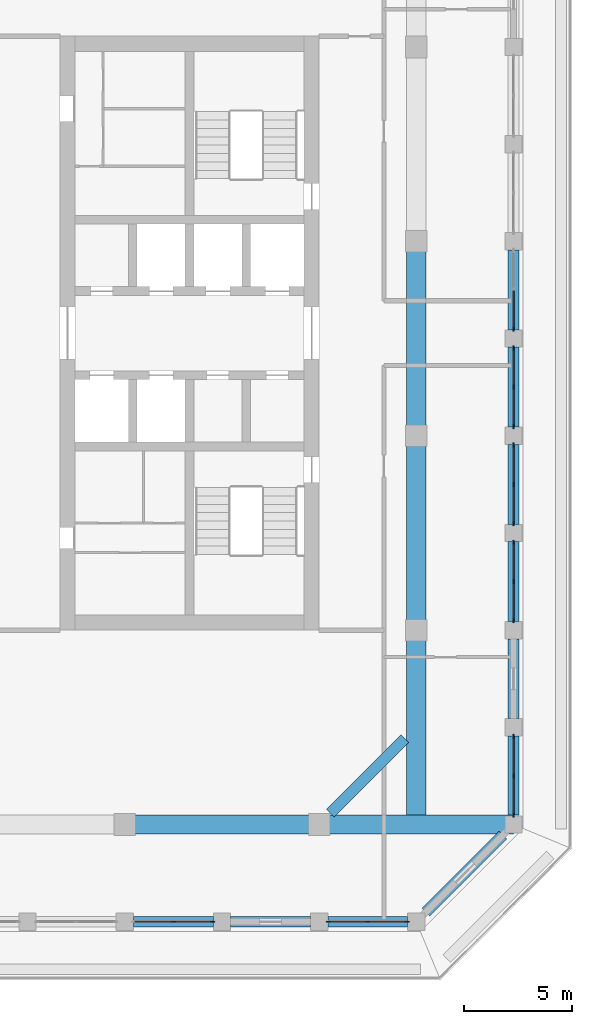
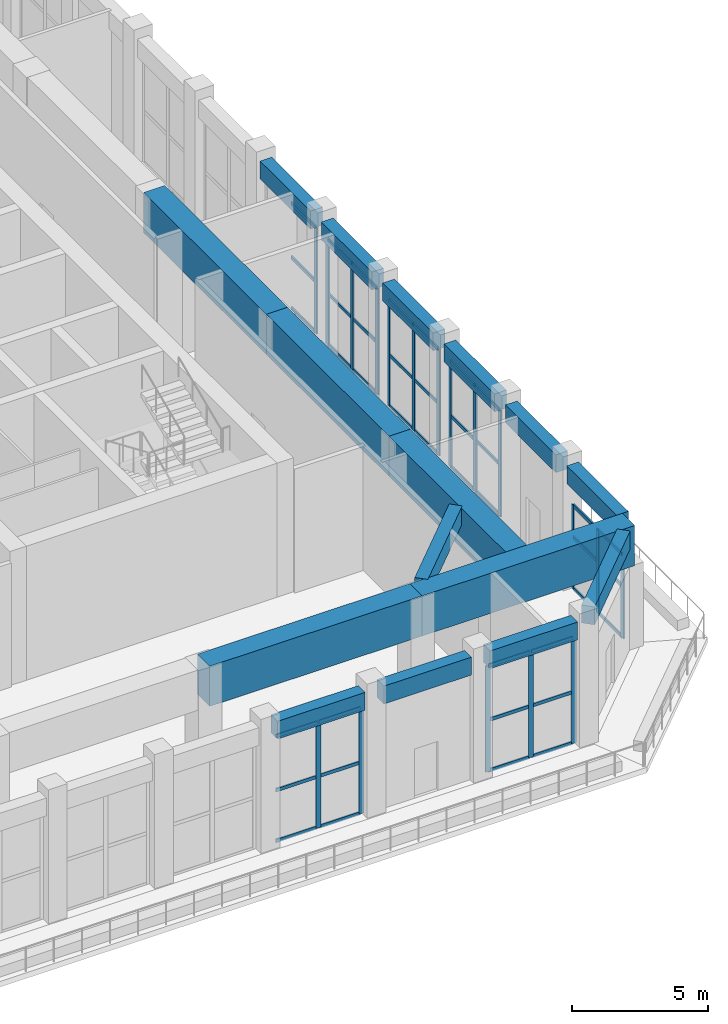
# One storey, part 4 of 25: 57 members, 16 beams, 7 elements without a shape of their own.
"""IFC4 building model written with IfcOpenShell, lengths in metres."""

import ifcopenshell
import ifcopenshell.guid

model = None  # the IFC model being written
_history = None  # IfcOwnerHistory: only IFC2X3 demands one
_inside = {}  # id of a spatial element -> (the spatial element, [elements in it])
_under = {}  # id of a project, library or spatial element -> (it, [spatial elements below it])
_declared = {}  # id of a project -> (the project, [libraries it declares])
_typed = {}  # id of a type object -> (the type object, [elements of that type])
_made_of = {}  # id of a material, layer set ... -> (it, [elements and type objects made of it])


def new_model(schema):
    """Start an empty IFC model of exactly this schema.

    Asked for "IFC4X3", IfcOpenShell would pick the latest addendum, in which some entities
    have other attributes; the version numbers below select the first issue.
    IFC2X3 requires an IfcOwnerHistory on every rooted entity: one is made here for all.
    """
    global model, _history
    if schema == "IFC4X3":
        model = ifcopenshell.file(schema_version=(4, 3, 0, 0))
    else:
        model = ifcopenshell.file(schema=schema)
    _inside.clear()
    _under.clear()
    _declared.clear()
    _typed.clear()
    _made_of.clear()
    _history = None
    if model.schema == "IFC2X3":
        org = make("IfcOrganization", Name="unknown")
        user = make(
            "IfcPersonAndOrganization",
            ThePerson=make("IfcPerson", FamilyName="unknown"),
            TheOrganization=org,
        )
        app = make(
            "IfcApplication",
            ApplicationDeveloper=org,
            Version="unknown",
            ApplicationFullName="unknown",
            ApplicationIdentifier="unknown",
        )
        _history = make(
            "IfcOwnerHistory",
            OwningUser=user,
            OwningApplication=app,
            ChangeAction="ADDED",
            CreationDate=0,
        )
    return model


def make(cls, **values):
    """One entity of the class cls with the attributes given. An attribute that is None is left unset."""
    return model.create_entity(
        cls, **{name: value for name, value in values.items() if value is not None}
    )


def rooted(cls, **values):
    """An entity with a GlobalId (a new one), such as an element, a storey or a relation."""
    return make(cls, GlobalId=ifcopenshell.guid.new(), OwnerHistory=_history, **values)


def si_unit(unit_type, name, prefix=None):
    """IfcSIUnit, for example si_unit("LENGTHUNIT", "METRE", prefix="MILLI")."""
    return make("IfcSIUnit", UnitType=unit_type, Prefix=prefix, Name=name)


def assignment(units):
    """IfcUnitAssignment: the units of a project."""
    return None if units is None else make("IfcUnitAssignment", Units=units)


def point(xyz):
    """IfcCartesianPoint."""
    return None if xyz is None else make("IfcCartesianPoint", Coordinates=xyz)


def direction(xyz):
    """IfcDirection."""
    return None if xyz is None else make("IfcDirection", DirectionRatios=xyz)


def frame(location, z_axis=None, x_axis=None):
    """IfcAxis2Placement3D, a coordinate frame: its origin and axes. An axis left out is left unset."""
    return make(
        "IfcAxis2Placement3D",
        Location=point(location),
        Axis=direction(z_axis),
        RefDirection=direction(x_axis),
    )


def frame_2d(location, x_axis=None):
    """IfcAxis2Placement2D, a coordinate frame in the plane: its origin and x axis."""
    return make(
        "IfcAxis2Placement2D", Location=point(location), RefDirection=direction(x_axis)
    )


def origin():
    """The frame at (0, 0, 0) with its axes left unset."""
    return frame((0.0, 0.0, 0.0))


def origin_2d():
    """The frame at (0, 0) in the plane with its x axis left unset."""
    return frame_2d((0.0, 0.0))


def place(relative_to, where):
    """IfcLocalPlacement: puts the frame where relative to a parent placement (None: the world)."""
    return make(
        "IfcLocalPlacement", PlacementRelTo=relative_to, RelativePlacement=where
    )


def context(
    kind, dimensions, precision=None, world=None, true_north=None, identifier=None
):
    """IfcGeometricRepresentationContext, for example the 3D "Model" context."""
    return make(
        "IfcGeometricRepresentationContext",
        ContextIdentifier=identifier,
        ContextType=kind,
        CoordinateSpaceDimension=dimensions,
        Precision=precision,
        WorldCoordinateSystem=world,
        TrueNorth=true_north,
    )


def subcontext(parent, identifier, kind, view, scale=None):
    """IfcGeometricRepresentationSubContext, for example "Body" below "Model"."""
    return make(
        "IfcGeometricRepresentationSubContext",
        ContextIdentifier=identifier,
        ContextType=kind,
        ParentContext=parent,
        TargetScale=scale,
        TargetView=view,
    )


def project(units=None, contexts=None):
    """IfcProject with its units and contexts."""
    return rooted(
        "IfcProject",
        Name="project",
        RepresentationContexts=contexts,
        UnitsInContext=assignment(units),
    )


def spatial(cls, under=None, at=None, **own):
    """A site, building, storey or space (cls), placed at a placement, below another one or the project."""
    s = rooted(cls, ObjectPlacement=at, **own)
    if under is not None:
        _under.setdefault(under.id(), (under, []))[1].append(s)
    return s


def profile(cls, at=None, kind="AREA", **sizes):
    """A parametric profile (cls). Its sizes go by their IFC names, for example OverallWidth=200.0."""
    return make(cls, ProfileType=kind, Position=at, **sizes)


def rectangle(**sizes):
    """IfcRectangleProfileDef."""
    return profile("IfcRectangleProfileDef", **sizes)


def extrude(swept, where, along, depth):
    """IfcExtrudedAreaSolid: the profile swept, set in the frame where, extruded along a direction by depth."""
    return make(
        "IfcExtrudedAreaSolid",
        SweptArea=swept,
        Position=where,
        ExtrudedDirection=direction(along),
        Depth=depth,
    )


def shape(context_of_items, identifier, shape_type, items):
    """IfcShapeRepresentation: the items that make up one representation, for example the "Body"."""
    return make(
        "IfcShapeRepresentation",
        ContextOfItems=context_of_items,
        RepresentationIdentifier=identifier,
        RepresentationType=shape_type,
        Items=items,
    )


def material(Name=None, Category=None):
    """IfcMaterial."""
    return make("IfcMaterial", Name=Name, Category=Category)


def material_profile(
    of_material, cross_section, Name=None, Category=None, Priority=None
):
    """IfcMaterialProfile: a cross section and its material."""
    return make(
        "IfcMaterialProfile",
        Name=Name,
        Material=of_material,
        Profile=cross_section,
        Priority=Priority,
        Category=Category,
    )


def profile_set(profiles, Name=None, composite=None):
    """IfcMaterialProfileSet."""
    return make(
        "IfcMaterialProfileSet",
        Name=Name,
        MaterialProfiles=profiles,
        CompositeProfile=composite,
    )


def made_of(thing, what):
    """Note that an element or type object is made of a material, layer set ...; save() writes the relation."""
    if what is not None:
        _made_of.setdefault(what.id(), (what, []))[1].append(thing)
    return thing


def type_object(cls, material=None, **own):
    """A type object (cls), such as IfcWallType, which elements share."""
    return made_of(rooted(cls, **own), material)


def element(
    cls,
    number,
    at=None,
    inside=None,
    cuts=None,
    type_object=None,
    material=None,
    context=None,
    identifier="Body",
    shape_type=None,
    held_by="IfcProductDefinitionShape",
    body=None,
    shapes=None,
    **own,
):
    """One element of the class cls, such as IfcWall. Its Tag is "e" and its number.

    at: its placement. inside: the storey or other place that contains it. cuts: it is an
    opening in that element (IfcRelVoidsElement). A single representation is given by context,
    identifier, shape_type and body (its items); several are given by shapes. held_by: the class
    of the entity that holds the representations. save() writes the other relations.
    """
    e = rooted(cls, Tag="e%d" % number, ObjectPlacement=at, **own)
    if body is not None:
        shapes = [shape(context, identifier, shape_type, body)]
    if shapes is not None:
        e.Representation = make(held_by, Representations=shapes)
    if inside is not None:
        _inside.setdefault(inside.id(), (inside, []))[1].append(e)
    if cuts is not None:
        rooted(
            "IfcRelVoidsElement", RelatingBuildingElement=cuts, RelatedOpeningElement=e
        )
    if type_object is not None:
        _typed.setdefault(type_object.id(), (type_object, []))[1].append(e)
    return made_of(e, material)


def aggregate(whole, parts):
    """IfcRelAggregates: a whole, such as a stair, and the parts it consists of."""
    return rooted("IfcRelAggregates", RelatingObject=whole, RelatedObjects=parts)


def save(model, path):
    """Write the relations noted so far, then the file.

    IfcRelAggregates (storeys below a building ...), IfcRelContainedInSpatialStructure (elements
    in a storey), IfcRelDefinesByType, IfcRelAssociatesMaterial and IfcRelDeclares: one each for
    every whole, place, type object, material and project.
    """
    for whole, parts in _under.values():
        aggregate(whole, parts)
    for where, things in _inside.values():
        rooted(
            "IfcRelContainedInSpatialStructure",
            RelatedElements=things,
            RelatingStructure=where,
        )
    for kind, things in _typed.values():
        rooted("IfcRelDefinesByType", RelatedObjects=things, RelatingType=kind)
    for what, things in _made_of.values():
        rooted("IfcRelAssociatesMaterial", RelatedObjects=things, RelatingMaterial=what)
    for by, libraries in _declared.values():
        rooted("IfcRelDeclares", RelatingContext=by, RelatedDefinitions=libraries)
    model.write(path)


model = new_model("IFC4")

# Units and contexts
model_context = context("Model", 3, precision=1e-05, world=origin(), true_north=direction((0.0, 1.0)))
body_context = subcontext(model_context, "Body", "Model", "MODEL_VIEW")
ifc_project = project(units=[si_unit("LENGTHUNIT", "METRE"), si_unit("AREAUNIT", "SQUARE_METRE"), si_unit("VOLUMEUNIT", "CUBIC_METRE"), si_unit("PLANEANGLEUNIT", "RADIAN"), si_unit("MASSUNIT", "GRAM", prefix="KILO")], contexts=[model_context])

# Site, building, storey
site_placement = place(None, origin())
site = spatial("IfcSite", under=ifc_project, at=site_placement, CompositionType="ELEMENT")
building_placement = place(site_placement, origin())
building = spatial("IfcBuilding", under=site, at=building_placement, Name="Corbel Stack Research Tower", CompositionType="ELEMENT")
storey_placement = place(building_placement, frame((0.0, 0.0, 260.300048828125)))
storey = spatial("IfcBuildingStorey", under=building, at=storey_placement, Name="L59", CompositionType="ELEMENT", Elevation=260.300048828125)

# Curtain wall, members
ifc_material_1 = material(Name="Aluminium frame, clear glass", Category="aluminium")
curtain_wall_type = type_object("IfcCurtainWallType", Name="Upper amenity floor curtain wall CW3", PredefinedType="NOTDEFINED", material=ifc_material_1)
curtain_wall_1_placement = place(storey_placement, origin())
curtain_wall_1 = element("IfcCurtainWall", 1, at=curtain_wall_1_placement, inside=storey, type_object=curtain_wall_type, Name="Curtain wall CW3 L59 S06", PredefinedType="NOTDEFINED")
ifc_material_2 = material(Name="Aluminium mullion", Category="aluminium")
ifc_material_profile_1 = material_profile(ifc_material_2, rectangle(XDim=0.06005859375, YDim=0.199951171875, at=origin_2d()), Name="Mullion 60 x 200")
ifc_profile_set_1 = profile_set([ifc_material_profile_1], Name="Aluminium mullion")
member_type_1 = type_object("IfcMemberType", Name="Curtain wall mullion 60 x 200", PredefinedType="MULLION", material=ifc_profile_set_1)
member_1_placement = place(storey_placement, frame((11.25, -22.5, 0.0), z_axis=(0.0, 0.0, 1.0), x_axis=(0.0, 1.0, 0.0)))
member_1 = element("IfcMember", 2, at=member_1_placement, type_object=member_type_1, Name="CW3 mullion 2", PredefinedType="MULLION", context=body_context, shape_type="SweptSolid", body=[
    extrude(rectangle(XDim=0.06005859375, YDim=0.199951171875, at=origin_2d()), origin(), (0.0, 0.0, 1.0), 4.75),
])
member_2_placement = place(storey_placement, frame((13.070068359375, -22.5, 0.0), z_axis=(0.0, 0.0, 1.0), x_axis=(0.0, 1.0, 0.0)))
member_2 = element("IfcMember", 3, at=member_2_placement, type_object=member_type_1, Name="CW3 mullion 3", PredefinedType="MULLION", context=body_context, shape_type="SweptSolid", body=[
    extrude(rectangle(XDim=0.06005859375, YDim=0.199951171875, at=origin_2d()), origin(), (0.0, 0.0, 1.0), 4.75),
])

curtain_wall_2_placement = place(storey_placement, origin())
curtain_wall_2 = element("IfcCurtainWall", 4, at=curtain_wall_2_placement, inside=storey, type_object=curtain_wall_type, Name="Curtain wall CW3 L59 S08", PredefinedType="NOTDEFINED")
member_3_placement = place(storey_placement, frame((18.429931640625, -22.5, 0.0), z_axis=(0.0, 0.0, 1.0), x_axis=(0.0, 1.0, 0.0)))
member_3 = element("IfcMember", 5, at=member_3_placement, type_object=member_type_1, Name="CW3 mullion 1", PredefinedType="MULLION", context=body_context, shape_type="SweptSolid", body=[
    extrude(rectangle(XDim=0.06005859375, YDim=0.199951171875, at=origin_2d()), origin(), (0.0, 0.0, 1.0), 4.75),
])
member_4_placement = place(storey_placement, frame((20.25, -22.5, 0.0), z_axis=(0.0, 0.0, 1.0), x_axis=(0.0, 1.0, 0.0)))
member_4 = element("IfcMember", 6, at=member_4_placement, type_object=member_type_1, Name="CW3 mullion 2", PredefinedType="MULLION", context=body_context, shape_type="SweptSolid", body=[
    extrude(rectangle(XDim=0.06005859375, YDim=0.199951171875, at=origin_2d()), origin(), (0.0, 0.0, 1.0), 4.75),
])
member_5_placement = place(storey_placement, frame((22.070068359375, -22.5, 0.0), z_axis=(0.0, 0.0, 1.0), x_axis=(0.0, 1.0, 0.0)))
member_5 = element("IfcMember", 7, at=member_5_placement, type_object=member_type_1, Name="CW3 mullion 3", PredefinedType="MULLION", context=body_context, shape_type="SweptSolid", body=[
    extrude(rectangle(XDim=0.06005859375, YDim=0.199951171875, at=origin_2d()), origin(), (0.0, 0.0, 1.0), 4.75),
])

curtain_wall_3_placement = place(storey_placement, origin())
curtain_wall_3 = element("IfcCurtainWall", 8, at=curtain_wall_3_placement, inside=storey, type_object=curtain_wall_type, Name="Curtain wall CW3 L59 E01", PredefinedType="NOTDEFINED")
member_6_placement = place(storey_placement, frame((27.0, -17.570068359375, 0.0), z_axis=(0.0, 0.0, 1.0), x_axis=(-1.0, 0.0, 0.0)))
member_6 = element("IfcMember", 9, at=member_6_placement, type_object=member_type_1, Name="CW3 mullion 1", PredefinedType="MULLION", context=body_context, shape_type="SweptSolid", body=[
    extrude(rectangle(XDim=0.06005859375, YDim=0.199951171875, at=origin_2d()), origin(), (0.0, 0.0, 1.0), 3.75),
])
member_7_placement = place(storey_placement, frame((27.0, -15.75, 0.0), z_axis=(0.0, 0.0, 1.0), x_axis=(-1.0, 0.0, 0.0)))
member_7 = element("IfcMember", 10, at=member_7_placement, type_object=member_type_1, Name="CW3 mullion 2", PredefinedType="MULLION", context=body_context, shape_type="SweptSolid", body=[
    extrude(rectangle(XDim=0.06005859375, YDim=0.199951171875, at=origin_2d()), origin(), (0.0, 0.0, 1.0), 3.75),
])
member_8_placement = place(storey_placement, frame((27.0, -13.929931640625, 0.0), z_axis=(0.0, 0.0, 1.0), x_axis=(-1.0, 0.0, 0.0)))
member_8 = element("IfcMember", 11, at=member_8_placement, type_object=member_type_1, Name="CW3 mullion 3", PredefinedType="MULLION", context=body_context, shape_type="SweptSolid", body=[
    extrude(rectangle(XDim=0.06005859375, YDim=0.199951171875, at=origin_2d()), origin(), (0.0, 0.0, 1.0), 3.75),
])

curtain_wall_4_placement = place(storey_placement, origin())
curtain_wall_4 = element("IfcCurtainWall", 12, at=curtain_wall_4_placement, inside=storey, type_object=curtain_wall_type, Name="Curtain wall CW3 L59 E03", PredefinedType="NOTDEFINED")
member_9_placement = place(storey_placement, frame((27.0, -8.570068359375, 0.0), z_axis=(0.0, 0.0, 1.0), x_axis=(-1.0, 0.0, 0.0)))
member_9 = element("IfcMember", 13, at=member_9_placement, type_object=member_type_1, Name="CW3 mullion 1", PredefinedType="MULLION", context=body_context, shape_type="SweptSolid", body=[
    extrude(rectangle(XDim=0.06005859375, YDim=0.199951171875, at=origin_2d()), origin(), (0.0, 0.0, 1.0), 4.75),
])
member_10_placement = place(storey_placement, frame((27.0, -6.75, 0.0), z_axis=(0.0, 0.0, 1.0), x_axis=(-1.0, 0.0, 0.0)))
member_10 = element("IfcMember", 14, at=member_10_placement, type_object=member_type_1, Name="CW3 mullion 2", PredefinedType="MULLION", context=body_context, shape_type="SweptSolid", body=[
    extrude(rectangle(XDim=0.06005859375, YDim=0.199951171875, at=origin_2d()), origin(), (0.0, 0.0, 1.0), 4.75),
])
member_11_placement = place(storey_placement, frame((27.0, -4.929931640625, 0.0), z_axis=(0.0, 0.0, 1.0), x_axis=(-1.0, 0.0, 0.0)))
member_11 = element("IfcMember", 15, at=member_11_placement, type_object=member_type_1, Name="CW3 mullion 3", PredefinedType="MULLION", context=body_context, shape_type="SweptSolid", body=[
    extrude(rectangle(XDim=0.06005859375, YDim=0.199951171875, at=origin_2d()), origin(), (0.0, 0.0, 1.0), 4.75),
])

curtain_wall_5_placement = place(storey_placement, origin())
curtain_wall_5 = element("IfcCurtainWall", 16, at=curtain_wall_5_placement, inside=storey, type_object=curtain_wall_type, Name="Curtain wall CW3 L59 E04", PredefinedType="NOTDEFINED")
member_12_placement = place(storey_placement, frame((27.0, -4.070068359375, 0.0), z_axis=(0.0, 0.0, 1.0), x_axis=(-1.0, 0.0, 0.0)))
member_12 = element("IfcMember", 17, at=member_12_placement, type_object=member_type_1, Name="CW3 mullion 1", PredefinedType="MULLION", context=body_context, shape_type="SweptSolid", body=[
    extrude(rectangle(XDim=0.06005859375, YDim=0.199951171875, at=origin_2d()), origin(), (0.0, 0.0, 1.0), 4.75),
])
member_13_placement = place(storey_placement, frame((27.0, -2.25, 0.0), z_axis=(0.0, 0.0, 1.0), x_axis=(-1.0, 0.0, 0.0)))
member_13 = element("IfcMember", 18, at=member_13_placement, type_object=member_type_1, Name="CW3 mullion 2", PredefinedType="MULLION", context=body_context, shape_type="SweptSolid", body=[
    extrude(rectangle(XDim=0.06005859375, YDim=0.199951171875, at=origin_2d()), origin(), (0.0, 0.0, 1.0), 4.75),
])
member_14_placement = place(storey_placement, frame((27.0, -0.429931640625, 0.0), z_axis=(0.0, 0.0, 1.0), x_axis=(-1.0, 0.0, 0.0)))
member_14 = element("IfcMember", 19, at=member_14_placement, type_object=member_type_1, Name="CW3 mullion 3", PredefinedType="MULLION", context=body_context, shape_type="SweptSolid", body=[
    extrude(rectangle(XDim=0.06005859375, YDim=0.199951171875, at=origin_2d()), origin(), (0.0, 0.0, 1.0), 4.75),
])

curtain_wall_6_placement = place(storey_placement, origin())
curtain_wall_6 = element("IfcCurtainWall", 20, at=curtain_wall_6_placement, inside=storey, type_object=curtain_wall_type, Name="Curtain wall CW3 L59 E05", PredefinedType="NOTDEFINED")
member_15_placement = place(storey_placement, frame((27.0, 0.429931640625, 0.0), z_axis=(0.0, 0.0, 1.0), x_axis=(-1.0, 0.0, 0.0)))
member_15 = element("IfcMember", 21, at=member_15_placement, type_object=member_type_1, Name="CW3 mullion 1", PredefinedType="MULLION", context=body_context, shape_type="SweptSolid", body=[
    extrude(rectangle(XDim=0.06005859375, YDim=0.199951171875, at=origin_2d()), origin(), (0.0, 0.0, 1.0), 4.75),
])
member_16_placement = place(storey_placement, frame((27.0, 2.25, 0.0), z_axis=(0.0, 0.0, 1.0), x_axis=(-1.0, 0.0, 0.0)))
member_16 = element("IfcMember", 22, at=member_16_placement, type_object=member_type_1, Name="CW3 mullion 2", PredefinedType="MULLION", context=body_context, shape_type="SweptSolid", body=[
    extrude(rectangle(XDim=0.06005859375, YDim=0.199951171875, at=origin_2d()), origin(), (0.0, 0.0, 1.0), 4.75),
])
member_17_placement = place(storey_placement, frame((27.0, 4.070068359375, 0.0), z_axis=(0.0, 0.0, 1.0), x_axis=(-1.0, 0.0, 0.0)))
member_17 = element("IfcMember", 23, at=member_17_placement, type_object=member_type_1, Name="CW3 mullion 3", PredefinedType="MULLION", context=body_context, shape_type="SweptSolid", body=[
    extrude(rectangle(XDim=0.06005859375, YDim=0.199951171875, at=origin_2d()), origin(), (0.0, 0.0, 1.0), 4.75),
])

# Curtain wall, member
curtain_wall_7_placement = place(storey_placement, origin())
curtain_wall_7 = element("IfcCurtainWall", 24, at=curtain_wall_7_placement, inside=storey, type_object=curtain_wall_type, Name="Curtain wall CW3 L59 E06", PredefinedType="NOTDEFINED")
member_18_placement = place(storey_placement, frame((27.0, 4.929931640625, 0.0), z_axis=(0.0, 0.0, 1.0), x_axis=(-1.0, 0.0, 0.0)))
member_18 = element("IfcMember", 25, at=member_18_placement, type_object=member_type_1, Name="CW3 mullion 1", PredefinedType="MULLION", context=body_context, shape_type="SweptSolid", body=[
    extrude(rectangle(XDim=0.06005859375, YDim=0.199951171875, at=origin_2d()), origin(), (0.0, 0.0, 1.0), 4.75),
])

# Member
ifc_material_3 = material(Name="Aluminium transom", Category="aluminium")
ifc_material_profile_2 = material_profile(ifc_material_3, rectangle(XDim=0.06005859375, YDim=0.14990234375, at=origin_2d()), Name="Transom 60 x 150")
ifc_profile_set_2 = profile_set([ifc_material_profile_2], Name="Aluminium transom")
member_type_2 = type_object("IfcMemberType", Name="Curtain wall transom 60 x 150", PredefinedType="USERDEFINED", material=ifc_profile_set_2)
member_19_placement = place(storey_placement, frame((9.4599609375, -22.5, 0.030029296875), z_axis=(1.0, 0.0, 0.0), x_axis=(0.0, 1.0, 0.0)))
member_19 = element("IfcMember", 26, at=member_19_placement, type_object=member_type_2, Name="CW3 transom 1.1", ObjectType="TRANSOM", PredefinedType="USERDEFINED", context=body_context, shape_type="SweptSolid", body=[
    extrude(rectangle(XDim=0.06005859375, YDim=0.14990234375, at=origin_2d()), origin(), (0.0, 0.0, 1.0), 1.760009765625),
])

member_20_placement = place(storey_placement, frame((9.4599609375, -22.5, 2.300048828125), z_axis=(1.0, 0.0, 0.0), x_axis=(0.0, 1.0, 0.0)))
member_20 = element("IfcMember", 27, at=member_20_placement, type_object=member_type_2, Name="CW3 transom 1.2", ObjectType="TRANSOM", PredefinedType="USERDEFINED", context=body_context, shape_type="SweptSolid", body=[
    extrude(rectangle(XDim=0.06005859375, YDim=0.14990234375, at=origin_2d()), origin(), (0.0, 0.0, 1.0), 1.760009765625),
])

member_21_placement = place(storey_placement, frame((9.4599609375, -22.5, 4.719970703125), z_axis=(1.0, 0.0, 0.0), x_axis=(0.0, 1.0, 0.0)))
member_21 = element("IfcMember", 28, at=member_21_placement, type_object=member_type_2, Name="CW3 transom 1.3", ObjectType="TRANSOM", PredefinedType="USERDEFINED", context=body_context, shape_type="SweptSolid", body=[
    extrude(rectangle(XDim=0.06005859375, YDim=0.14990234375, at=origin_2d()), origin(), (0.0, 0.0, 1.0), 1.760009765625),
])

member_22_placement = place(storey_placement, frame((11.280029296875, -22.5, 0.030029296875), z_axis=(1.0, 0.0, 0.0), x_axis=(0.0, 1.0, 0.0)))
member_22 = element("IfcMember", 29, at=member_22_placement, type_object=member_type_2, Name="CW3 transom 2.1", ObjectType="TRANSOM", PredefinedType="USERDEFINED", context=body_context, shape_type="SweptSolid", body=[
    extrude(rectangle(XDim=0.06005859375, YDim=0.14990234375, at=origin_2d()), origin(), (0.0, 0.0, 1.0), 1.760009765625),
])

member_23_placement = place(storey_placement, frame((11.280029296875, -22.5, 2.300048828125), z_axis=(1.0, 0.0, 0.0), x_axis=(0.0, 1.0, 0.0)))
member_23 = element("IfcMember", 30, at=member_23_placement, type_object=member_type_2, Name="CW3 transom 2.2", ObjectType="TRANSOM", PredefinedType="USERDEFINED", context=body_context, shape_type="SweptSolid", body=[
    extrude(rectangle(XDim=0.06005859375, YDim=0.14990234375, at=origin_2d()), origin(), (0.0, 0.0, 1.0), 1.760009765625),
])

member_24_placement = place(storey_placement, frame((11.280029296875, -22.5, 4.719970703125), z_axis=(1.0, 0.0, 0.0), x_axis=(0.0, 1.0, 0.0)))
member_24 = element("IfcMember", 31, at=member_24_placement, type_object=member_type_2, Name="CW3 transom 2.3", ObjectType="TRANSOM", PredefinedType="USERDEFINED", context=body_context, shape_type="SweptSolid", body=[
    extrude(rectangle(XDim=0.06005859375, YDim=0.14990234375, at=origin_2d()), origin(), (0.0, 0.0, 1.0), 1.760009765625),
])

aggregate(curtain_wall_1, [member_1, member_2, member_19, member_20, member_21, member_22, member_23, member_24])

member_25_placement = place(storey_placement, frame((18.4599609375, -22.5, 0.030029296875), z_axis=(1.0, 0.0, 0.0), x_axis=(0.0, 1.0, 0.0)))
member_25 = element("IfcMember", 32, at=member_25_placement, type_object=member_type_2, Name="CW3 transom 1.1", ObjectType="TRANSOM", PredefinedType="USERDEFINED", context=body_context, shape_type="SweptSolid", body=[
    extrude(rectangle(XDim=0.06005859375, YDim=0.14990234375, at=origin_2d()), origin(), (0.0, 0.0, 1.0), 1.760009765625),
])

member_26_placement = place(storey_placement, frame((18.4599609375, -22.5, 2.300048828125), z_axis=(1.0, 0.0, 0.0), x_axis=(0.0, 1.0, 0.0)))
member_26 = element("IfcMember", 33, at=member_26_placement, type_object=member_type_2, Name="CW3 transom 1.2", ObjectType="TRANSOM", PredefinedType="USERDEFINED", context=body_context, shape_type="SweptSolid", body=[
    extrude(rectangle(XDim=0.06005859375, YDim=0.14990234375, at=origin_2d()), origin(), (0.0, 0.0, 1.0), 1.760009765625),
])

member_27_placement = place(storey_placement, frame((18.4599609375, -22.5, 4.719970703125), z_axis=(1.0, 0.0, 0.0), x_axis=(0.0, 1.0, 0.0)))
member_27 = element("IfcMember", 34, at=member_27_placement, type_object=member_type_2, Name="CW3 transom 1.3", ObjectType="TRANSOM", PredefinedType="USERDEFINED", context=body_context, shape_type="SweptSolid", body=[
    extrude(rectangle(XDim=0.06005859375, YDim=0.14990234375, at=origin_2d()), origin(), (0.0, 0.0, 1.0), 1.760009765625),
])

member_28_placement = place(storey_placement, frame((20.280029296875, -22.5, 0.030029296875), z_axis=(1.0, 0.0, 0.0), x_axis=(0.0, 1.0, 0.0)))
member_28 = element("IfcMember", 35, at=member_28_placement, type_object=member_type_2, Name="CW3 transom 2.1", ObjectType="TRANSOM", PredefinedType="USERDEFINED", context=body_context, shape_type="SweptSolid", body=[
    extrude(rectangle(XDim=0.06005859375, YDim=0.14990234375, at=origin_2d()), origin(), (0.0, 0.0, 1.0), 1.760009765625),
])

member_29_placement = place(storey_placement, frame((20.280029296875, -22.5, 2.300048828125), z_axis=(1.0, 0.0, 0.0), x_axis=(0.0, 1.0, 0.0)))
member_29 = element("IfcMember", 36, at=member_29_placement, type_object=member_type_2, Name="CW3 transom 2.2", ObjectType="TRANSOM", PredefinedType="USERDEFINED", context=body_context, shape_type="SweptSolid", body=[
    extrude(rectangle(XDim=0.06005859375, YDim=0.14990234375, at=origin_2d()), origin(), (0.0, 0.0, 1.0), 1.760009765625),
])

member_30_placement = place(storey_placement, frame((20.280029296875, -22.5, 4.719970703125), z_axis=(1.0, 0.0, 0.0), x_axis=(0.0, 1.0, 0.0)))
member_30 = element("IfcMember", 37, at=member_30_placement, type_object=member_type_2, Name="CW3 transom 2.3", ObjectType="TRANSOM", PredefinedType="USERDEFINED", context=body_context, shape_type="SweptSolid", body=[
    extrude(rectangle(XDim=0.06005859375, YDim=0.14990234375, at=origin_2d()), origin(), (0.0, 0.0, 1.0), 1.760009765625),
])

aggregate(curtain_wall_2, [member_3, member_4, member_5, member_25, member_26, member_27, member_28, member_29, member_30])

member_31_placement = place(storey_placement, frame((27.0, -17.5400390625, 0.030029296875), z_axis=(0.0, 1.0, 0.0), x_axis=(-1.0, 0.0, 0.0)))
member_31 = element("IfcMember", 38, at=member_31_placement, type_object=member_type_2, Name="CW3 transom 1.1", ObjectType="TRANSOM", PredefinedType="USERDEFINED", context=body_context, shape_type="SweptSolid", body=[
    extrude(rectangle(XDim=0.06005859375, YDim=0.14990234375, at=origin_2d()), origin(), (0.0, 0.0, 1.0), 1.760009765625),
])

member_32_placement = place(storey_placement, frame((27.0, -17.5400390625, 2.300048828125), z_axis=(0.0, 1.0, 0.0), x_axis=(-1.0, 0.0, 0.0)))
member_32 = element("IfcMember", 39, at=member_32_placement, type_object=member_type_2, Name="CW3 transom 1.2", ObjectType="TRANSOM", PredefinedType="USERDEFINED", context=body_context, shape_type="SweptSolid", body=[
    extrude(rectangle(XDim=0.06005859375, YDim=0.14990234375, at=origin_2d()), origin(), (0.0, 0.0, 1.0), 1.760009765625),
])

member_33_placement = place(storey_placement, frame((27.0, -17.5400390625, 3.719970703125), z_axis=(0.0, 1.0, 0.0), x_axis=(-1.0, 0.0, 0.0)))
member_33 = element("IfcMember", 40, at=member_33_placement, type_object=member_type_2, Name="CW3 transom 1.3", ObjectType="TRANSOM", PredefinedType="USERDEFINED", context=body_context, shape_type="SweptSolid", body=[
    extrude(rectangle(XDim=0.06005859375, YDim=0.14990234375, at=origin_2d()), origin(), (0.0, 0.0, 1.0), 1.760009765625),
])

member_34_placement = place(storey_placement, frame((27.0, -15.719970703125, 0.030029296875), z_axis=(0.0, 1.0, 0.0), x_axis=(-1.0, 0.0, 0.0)))
member_34 = element("IfcMember", 41, at=member_34_placement, type_object=member_type_2, Name="CW3 transom 2.1", ObjectType="TRANSOM", PredefinedType="USERDEFINED", context=body_context, shape_type="SweptSolid", body=[
    extrude(rectangle(XDim=0.06005859375, YDim=0.14990234375, at=origin_2d()), origin(), (0.0, 0.0, 1.0), 1.760009765625),
])

member_35_placement = place(storey_placement, frame((27.0, -15.719970703125, 2.300048828125), z_axis=(0.0, 1.0, 0.0), x_axis=(-1.0, 0.0, 0.0)))
member_35 = element("IfcMember", 42, at=member_35_placement, type_object=member_type_2, Name="CW3 transom 2.2", ObjectType="TRANSOM", PredefinedType="USERDEFINED", context=body_context, shape_type="SweptSolid", body=[
    extrude(rectangle(XDim=0.06005859375, YDim=0.14990234375, at=origin_2d()), origin(), (0.0, 0.0, 1.0), 1.760009765625),
])

member_36_placement = place(storey_placement, frame((27.0, -15.719970703125, 3.719970703125), z_axis=(0.0, 1.0, 0.0), x_axis=(-1.0, 0.0, 0.0)))
member_36 = element("IfcMember", 43, at=member_36_placement, type_object=member_type_2, Name="CW3 transom 2.3", ObjectType="TRANSOM", PredefinedType="USERDEFINED", context=body_context, shape_type="SweptSolid", body=[
    extrude(rectangle(XDim=0.06005859375, YDim=0.14990234375, at=origin_2d()), origin(), (0.0, 0.0, 1.0), 1.760009765625),
])

aggregate(curtain_wall_3, [member_6, member_7, member_8, member_31, member_32, member_33, member_34, member_35, member_36])

member_37_placement = place(storey_placement, frame((27.0, -8.5400390625, 0.030029296875), z_axis=(0.0, 1.0, 0.0), x_axis=(-1.0, 0.0, 0.0)))
member_37 = element("IfcMember", 44, at=member_37_placement, type_object=member_type_2, Name="CW3 transom 1.1", ObjectType="TRANSOM", PredefinedType="USERDEFINED", context=body_context, shape_type="SweptSolid", body=[
    extrude(rectangle(XDim=0.06005859375, YDim=0.14990234375, at=origin_2d()), origin(), (0.0, 0.0, 1.0), 1.760009765625),
])

member_38_placement = place(storey_placement, frame((27.0, -8.5400390625, 2.300048828125), z_axis=(0.0, 1.0, 0.0), x_axis=(-1.0, 0.0, 0.0)))
member_38 = element("IfcMember", 45, at=member_38_placement, type_object=member_type_2, Name="CW3 transom 1.2", ObjectType="TRANSOM", PredefinedType="USERDEFINED", context=body_context, shape_type="SweptSolid", body=[
    extrude(rectangle(XDim=0.06005859375, YDim=0.14990234375, at=origin_2d()), origin(), (0.0, 0.0, 1.0), 1.760009765625),
])

member_39_placement = place(storey_placement, frame((27.0, -8.5400390625, 4.719970703125), z_axis=(0.0, 1.0, 0.0), x_axis=(-1.0, 0.0, 0.0)))
member_39 = element("IfcMember", 46, at=member_39_placement, type_object=member_type_2, Name="CW3 transom 1.3", ObjectType="TRANSOM", PredefinedType="USERDEFINED", context=body_context, shape_type="SweptSolid", body=[
    extrude(rectangle(XDim=0.06005859375, YDim=0.14990234375, at=origin_2d()), origin(), (0.0, 0.0, 1.0), 1.760009765625),
])

member_40_placement = place(storey_placement, frame((27.0, -6.719970703125, 0.030029296875), z_axis=(0.0, 1.0, 0.0), x_axis=(-1.0, 0.0, 0.0)))
member_40 = element("IfcMember", 47, at=member_40_placement, type_object=member_type_2, Name="CW3 transom 2.1", ObjectType="TRANSOM", PredefinedType="USERDEFINED", context=body_context, shape_type="SweptSolid", body=[
    extrude(rectangle(XDim=0.06005859375, YDim=0.14990234375, at=origin_2d()), origin(), (0.0, 0.0, 1.0), 1.760009765625),
])

member_41_placement = place(storey_placement, frame((27.0, -6.719970703125, 2.300048828125), z_axis=(0.0, 1.0, 0.0), x_axis=(-1.0, 0.0, 0.0)))
member_41 = element("IfcMember", 48, at=member_41_placement, type_object=member_type_2, Name="CW3 transom 2.2", ObjectType="TRANSOM", PredefinedType="USERDEFINED", context=body_context, shape_type="SweptSolid", body=[
    extrude(rectangle(XDim=0.06005859375, YDim=0.14990234375, at=origin_2d()), origin(), (0.0, 0.0, 1.0), 1.760009765625),
])

member_42_placement = place(storey_placement, frame((27.0, -6.719970703125, 4.719970703125), z_axis=(0.0, 1.0, 0.0), x_axis=(-1.0, 0.0, 0.0)))
member_42 = element("IfcMember", 49, at=member_42_placement, type_object=member_type_2, Name="CW3 transom 2.3", ObjectType="TRANSOM", PredefinedType="USERDEFINED", context=body_context, shape_type="SweptSolid", body=[
    extrude(rectangle(XDim=0.06005859375, YDim=0.14990234375, at=origin_2d()), origin(), (0.0, 0.0, 1.0), 1.760009765625),
])

aggregate(curtain_wall_4, [member_9, member_10, member_11, member_37, member_38, member_39, member_40, member_41, member_42])

member_43_placement = place(storey_placement, frame((27.0, -4.0400390625, 0.030029296875), z_axis=(0.0, 1.0, 0.0), x_axis=(-1.0, 0.0, 0.0)))
member_43 = element("IfcMember", 50, at=member_43_placement, type_object=member_type_2, Name="CW3 transom 1.1", ObjectType="TRANSOM", PredefinedType="USERDEFINED", context=body_context, shape_type="SweptSolid", body=[
    extrude(rectangle(XDim=0.06005859375, YDim=0.14990234375, at=origin_2d()), origin(), (0.0, 0.0, 1.0), 1.760009765625),
])

member_44_placement = place(storey_placement, frame((27.0, -4.0400390625, 2.300048828125), z_axis=(0.0, 1.0, 0.0), x_axis=(-1.0, 0.0, 0.0)))
member_44 = element("IfcMember", 51, at=member_44_placement, type_object=member_type_2, Name="CW3 transom 1.2", ObjectType="TRANSOM", PredefinedType="USERDEFINED", context=body_context, shape_type="SweptSolid", body=[
    extrude(rectangle(XDim=0.06005859375, YDim=0.14990234375, at=origin_2d()), origin(), (0.0, 0.0, 1.0), 1.760009765625),
])

member_45_placement = place(storey_placement, frame((27.0, -4.0400390625, 4.719970703125), z_axis=(0.0, 1.0, 0.0), x_axis=(-1.0, 0.0, 0.0)))
member_45 = element("IfcMember", 52, at=member_45_placement, type_object=member_type_2, Name="CW3 transom 1.3", ObjectType="TRANSOM", PredefinedType="USERDEFINED", context=body_context, shape_type="SweptSolid", body=[
    extrude(rectangle(XDim=0.06005859375, YDim=0.14990234375, at=origin_2d()), origin(), (0.0, 0.0, 1.0), 1.760009765625),
])

member_46_placement = place(storey_placement, frame((27.0, -2.219970703125, 0.030029296875), z_axis=(0.0, 1.0, 0.0), x_axis=(-1.0, 0.0, 0.0)))
member_46 = element("IfcMember", 53, at=member_46_placement, type_object=member_type_2, Name="CW3 transom 2.1", ObjectType="TRANSOM", PredefinedType="USERDEFINED", context=body_context, shape_type="SweptSolid", body=[
    extrude(rectangle(XDim=0.06005859375, YDim=0.14990234375, at=origin_2d()), origin(), (0.0, 0.0, 1.0), 1.760009765625),
])

member_47_placement = place(storey_placement, frame((27.0, -2.219970703125, 2.300048828125), z_axis=(0.0, 1.0, 0.0), x_axis=(-1.0, 0.0, 0.0)))
member_47 = element("IfcMember", 54, at=member_47_placement, type_object=member_type_2, Name="CW3 transom 2.2", ObjectType="TRANSOM", PredefinedType="USERDEFINED", context=body_context, shape_type="SweptSolid", body=[
    extrude(rectangle(XDim=0.06005859375, YDim=0.14990234375, at=origin_2d()), origin(), (0.0, 0.0, 1.0), 1.760009765625),
])

member_48_placement = place(storey_placement, frame((27.0, -2.219970703125, 4.719970703125), z_axis=(0.0, 1.0, 0.0), x_axis=(-1.0, 0.0, 0.0)))
member_48 = element("IfcMember", 55, at=member_48_placement, type_object=member_type_2, Name="CW3 transom 2.3", ObjectType="TRANSOM", PredefinedType="USERDEFINED", context=body_context, shape_type="SweptSolid", body=[
    extrude(rectangle(XDim=0.06005859375, YDim=0.14990234375, at=origin_2d()), origin(), (0.0, 0.0, 1.0), 1.760009765625),
])

aggregate(curtain_wall_5, [member_12, member_13, member_14, member_43, member_44, member_45, member_46, member_47, member_48])

member_49_placement = place(storey_placement, frame((27.0, 0.4599609375, 0.030029296875), z_axis=(0.0, 1.0, 0.0), x_axis=(-1.0, 0.0, 0.0)))
member_49 = element("IfcMember", 56, at=member_49_placement, type_object=member_type_2, Name="CW3 transom 1.1", ObjectType="TRANSOM", PredefinedType="USERDEFINED", context=body_context, shape_type="SweptSolid", body=[
    extrude(rectangle(XDim=0.06005859375, YDim=0.14990234375, at=origin_2d()), origin(), (0.0, 0.0, 1.0), 1.760009765625),
])

member_50_placement = place(storey_placement, frame((27.0, 0.4599609375, 2.300048828125), z_axis=(0.0, 1.0, 0.0), x_axis=(-1.0, 0.0, 0.0)))
member_50 = element("IfcMember", 57, at=member_50_placement, type_object=member_type_2, Name="CW3 transom 1.2", ObjectType="TRANSOM", PredefinedType="USERDEFINED", context=body_context, shape_type="SweptSolid", body=[
    extrude(rectangle(XDim=0.06005859375, YDim=0.14990234375, at=origin_2d()), origin(), (0.0, 0.0, 1.0), 1.760009765625),
])

member_51_placement = place(storey_placement, frame((27.0, 0.4599609375, 4.719970703125), z_axis=(0.0, 1.0, 0.0), x_axis=(-1.0, 0.0, 0.0)))
member_51 = element("IfcMember", 58, at=member_51_placement, type_object=member_type_2, Name="CW3 transom 1.3", ObjectType="TRANSOM", PredefinedType="USERDEFINED", context=body_context, shape_type="SweptSolid", body=[
    extrude(rectangle(XDim=0.06005859375, YDim=0.14990234375, at=origin_2d()), origin(), (0.0, 0.0, 1.0), 1.760009765625),
])

member_52_placement = place(storey_placement, frame((27.0, 2.280029296875, 0.030029296875), z_axis=(0.0, 1.0, 0.0), x_axis=(-1.0, 0.0, 0.0)))
member_52 = element("IfcMember", 59, at=member_52_placement, type_object=member_type_2, Name="CW3 transom 2.1", ObjectType="TRANSOM", PredefinedType="USERDEFINED", context=body_context, shape_type="SweptSolid", body=[
    extrude(rectangle(XDim=0.06005859375, YDim=0.14990234375, at=origin_2d()), origin(), (0.0, 0.0, 1.0), 1.760009765625),
])

member_53_placement = place(storey_placement, frame((27.0, 2.280029296875, 2.300048828125), z_axis=(0.0, 1.0, 0.0), x_axis=(-1.0, 0.0, 0.0)))
member_53 = element("IfcMember", 60, at=member_53_placement, type_object=member_type_2, Name="CW3 transom 2.2", ObjectType="TRANSOM", PredefinedType="USERDEFINED", context=body_context, shape_type="SweptSolid", body=[
    extrude(rectangle(XDim=0.06005859375, YDim=0.14990234375, at=origin_2d()), origin(), (0.0, 0.0, 1.0), 1.760009765625),
])

member_54_placement = place(storey_placement, frame((27.0, 2.280029296875, 4.719970703125), z_axis=(0.0, 1.0, 0.0), x_axis=(-1.0, 0.0, 0.0)))
member_54 = element("IfcMember", 61, at=member_54_placement, type_object=member_type_2, Name="CW3 transom 2.3", ObjectType="TRANSOM", PredefinedType="USERDEFINED", context=body_context, shape_type="SweptSolid", body=[
    extrude(rectangle(XDim=0.06005859375, YDim=0.14990234375, at=origin_2d()), origin(), (0.0, 0.0, 1.0), 1.760009765625),
])

aggregate(curtain_wall_6, [member_15, member_16, member_17, member_49, member_50, member_51, member_52, member_53, member_54])

member_55_placement = place(storey_placement, frame((27.0, 4.9599609375, 0.030029296875), z_axis=(0.0, 1.0, 0.0), x_axis=(-1.0, 0.0, 0.0)))
member_55 = element("IfcMember", 62, at=member_55_placement, type_object=member_type_2, Name="CW3 transom 1.1", ObjectType="TRANSOM", PredefinedType="USERDEFINED", context=body_context, shape_type="SweptSolid", body=[
    extrude(rectangle(XDim=0.06005859375, YDim=0.14990234375, at=origin_2d()), origin(), (0.0, 0.0, 1.0), 1.760009765625),
])

member_56_placement = place(storey_placement, frame((27.0, 4.9599609375, 2.300048828125), z_axis=(0.0, 1.0, 0.0), x_axis=(-1.0, 0.0, 0.0)))
member_56 = element("IfcMember", 63, at=member_56_placement, type_object=member_type_2, Name="CW3 transom 1.2", ObjectType="TRANSOM", PredefinedType="USERDEFINED", context=body_context, shape_type="SweptSolid", body=[
    extrude(rectangle(XDim=0.06005859375, YDim=0.14990234375, at=origin_2d()), origin(), (0.0, 0.0, 1.0), 1.760009765625),
])

member_57_placement = place(storey_placement, frame((27.0, 4.9599609375, 4.719970703125), z_axis=(0.0, 1.0, 0.0), x_axis=(-1.0, 0.0, 0.0)))
member_57 = element("IfcMember", 64, at=member_57_placement, type_object=member_type_2, Name="CW3 transom 1.3", ObjectType="TRANSOM", PredefinedType="USERDEFINED", context=body_context, shape_type="SweptSolid", body=[
    extrude(rectangle(XDim=0.06005859375, YDim=0.14990234375, at=origin_2d()), origin(), (0.0, 0.0, 1.0), 1.760009765625),
])

aggregate(curtain_wall_7, [member_18, member_55, member_56, member_57])

# Beams
ifc_material_4 = material(Name="Concrete C60/75", Category="concrete")
ifc_material_profile_3 = material_profile(ifc_material_4, rectangle(XDim=0.5, YDim=0.800048828125, at=origin_2d()), Name="RC 500 x 800")
ifc_profile_set_3 = profile_set([ifc_material_profile_3], Name="Concrete C60/75")
beam_type_1 = type_object("IfcBeamType", Name="SB-500-800-450", PredefinedType="SPANDREL", material=ifc_profile_set_3)
for number, where, z_axis, x_axis, name in (
    (65, (9.39990234375, -22.5, 5.14990234375), (1.0, 0.0, 0.0), (0.0, 1.0, 0.0), "Spandrel beam L59-06"),
    (66, (13.89990234375, -22.5, 5.14990234375), (1.0, 0.0, 0.0), (0.0, 1.0, 0.0), "Spandrel beam L59-07"),
    (67, (18.39990234375, -22.5, 5.14990234375), (1.0, 0.0, 0.0), (0.0, 1.0, 0.0), "Spandrel beam L59-08"),
):
    element("IfcBeam", number, at=place(storey_placement, frame(where, z_axis=z_axis, x_axis=x_axis)), inside=storey, type_object=beam_type_1, Name=name, PredefinedType="SPANDREL", context=body_context, shape_type="SweptSolid", body=[
        extrude(rectangle(XDim=0.5, YDim=0.800048828125, at=origin_2d()), origin(), (0.0, 0.0, 1.0), 3.7001953125),
    ])
beam_1_placement = place(storey_placement, frame((22.9423828125, -22.0576171875, 5.14990234375), z_axis=(0.707106781187, 0.707106781187, 0.0), x_axis=(-0.707106781187, 0.707106781187, 0.0)))
element("IfcBeam", 68, at=beam_1_placement, inside=storey, type_object=beam_type_1, Name="Spandrel beam L59-09", PredefinedType="SPANDREL", context=body_context, shape_type="SweptSolid", body=[
    extrude(rectangle(XDim=0.5, YDim=0.800048828125, at=origin_2d()), origin(), (0.0, 0.0, 1.0), 5.0419921875),
])
beam_2_placement = place(storey_placement, frame((27.0, -17.550048828125, 5.14990234375), z_axis=(0.0, 1.0, 0.0), x_axis=(-1.0, 0.0, 0.0)))
element("IfcBeam", 69, at=beam_2_placement, inside=storey, type_object=beam_type_1, Name="Spandrel beam L59-10", PredefinedType="SPANDREL", context=body_context, shape_type="SweptSolid", body=[
    extrude(rectangle(XDim=0.5, YDim=0.800048828125, at=origin_2d()), origin(), (0.0, 0.0, 1.0), 3.650146484375),
])
for number, where, z_axis, x_axis, name in (
    (70, (27.0, -13.10009765625, 5.14990234375), (0.0, 1.0, 0.0), (-1.0, 0.0, 0.0), "Spandrel beam L59-11"),
    (71, (27.0, -8.60009765625, 5.14990234375), (0.0, 1.0, 0.0), (-1.0, 0.0, 0.0), "Spandrel beam L59-12"),
    (72, (27.0, -4.10009765625, 5.14990234375), (0.0, 1.0, 0.0), (-1.0, 0.0, 0.0), "Spandrel beam L59-13"),
    (73, (27.0, 0.39990234375, 5.14990234375), (0.0, 1.0, 0.0), (-1.0, 0.0, 0.0), "Spandrel beam L59-14"),
    (74, (27.0, 4.89990234375, 5.14990234375), (0.0, 1.0, 0.0), (-1.0, 0.0, 0.0), "Spandrel beam L59-15"),
):
    element("IfcBeam", number, at=place(storey_placement, frame(where, z_axis=z_axis, x_axis=x_axis)), inside=storey, type_object=beam_type_1, Name=name, PredefinedType="SPANDREL", context=body_context, shape_type="SweptSolid", body=[
        extrude(rectangle(XDim=0.5, YDim=0.800048828125, at=origin_2d()), origin(), (0.0, 0.0, 1.0), 3.7001953125),
    ])
beam_3_placement = place(storey_placement, frame((18.52783203125, -17.47216796875, 5.14990234375), z_axis=(0.707106781187, 0.707106781187, 0.0), x_axis=(-0.707106781187, 0.707106781187, 0.0)))
element("IfcBeam", 75, at=beam_3_placement, inside=storey, type_object=beam_type_1, Name="Spandrel beam L59-41", PredefinedType="SPANDREL", context=body_context, shape_type="SweptSolid", body=[
    extrude(rectangle(XDim=0.5, YDim=0.800048828125, at=origin_2d()), origin(), (0.0, 0.0, 1.0), 4.87109375),
])
ifc_material_5 = material(Name="Concrete C60/75", Category="concrete")
ifc_material_profile_4 = material_profile(ifc_material_5, rectangle(XDim=0.89990234375, YDim=1.800048828125, at=origin_2d()), Name="RC 900 x 1800")
ifc_profile_set_4 = profile_set([ifc_material_profile_4], Name="Concrete C60/75")
beam_type_2 = type_object("IfcBeamType", Name="TG-900-1800", PredefinedType="BEAM", material=ifc_profile_set_4)
beam_4_placement = place(storey_placement, frame((27.0, -18.0, 4.64990234375), z_axis=(-1.0, 0.0, 0.0), x_axis=(0.0, -1.0, 0.0)))
element("IfcBeam", 76, at=beam_4_placement, inside=storey, type_object=beam_type_2, Name="Transfer cross girder L59 Ex-18", PredefinedType="BEAM", context=body_context, shape_type="SweptSolid", body=[
    extrude(rectangle(XDim=0.89990234375, YDim=1.800048828125, at=origin_2d()), origin(), (0.0, 0.0, 1.0), 9.0),
])
beam_5_placement = place(storey_placement, frame((22.5, -17.550048828125, 4.64990234375), z_axis=(0.0, 1.0, 0.0), x_axis=(-1.0, 0.0, 0.0)))
element("IfcBeam", 77, at=beam_5_placement, inside=storey, type_object=beam_type_2, Name="Transfer girder along the step L59 El-18", PredefinedType="BEAM", context=body_context, shape_type="SweptSolid", body=[
    extrude(rectangle(XDim=0.89990234375, YDim=1.800048828125, at=origin_2d()), origin(), (0.0, 0.0, 1.0), 8.550048828125),
])
for number, where, z_axis, x_axis, name in (
    (78, (22.5, -9.0, 4.64990234375), (0.0, 1.0, 0.0), (-1.0, 0.0, 0.0), "Transfer girder along the step L59 El-9"),
    (79, (22.5, 0.0, 4.64990234375), (0.0, 1.0, 0.0), (-1.0, 0.0, 0.0), "Transfer girder along the step L59 El0"),
    (80, (9.0, -18.0, 4.64990234375), (1.0, 0.0, 0.0), (0.0, 1.0, 0.0), "Transfer girder along the step L59 Sl9"),
):
    element("IfcBeam", number, at=place(storey_placement, frame(where, z_axis=z_axis, x_axis=x_axis)), inside=storey, type_object=beam_type_2, Name=name, PredefinedType="BEAM", context=body_context, shape_type="SweptSolid", body=[
        extrude(rectangle(XDim=0.89990234375, YDim=1.800048828125, at=origin_2d()), origin(), (0.0, 0.0, 1.0), 9.0),
    ])

save(model, "model.ifc")
